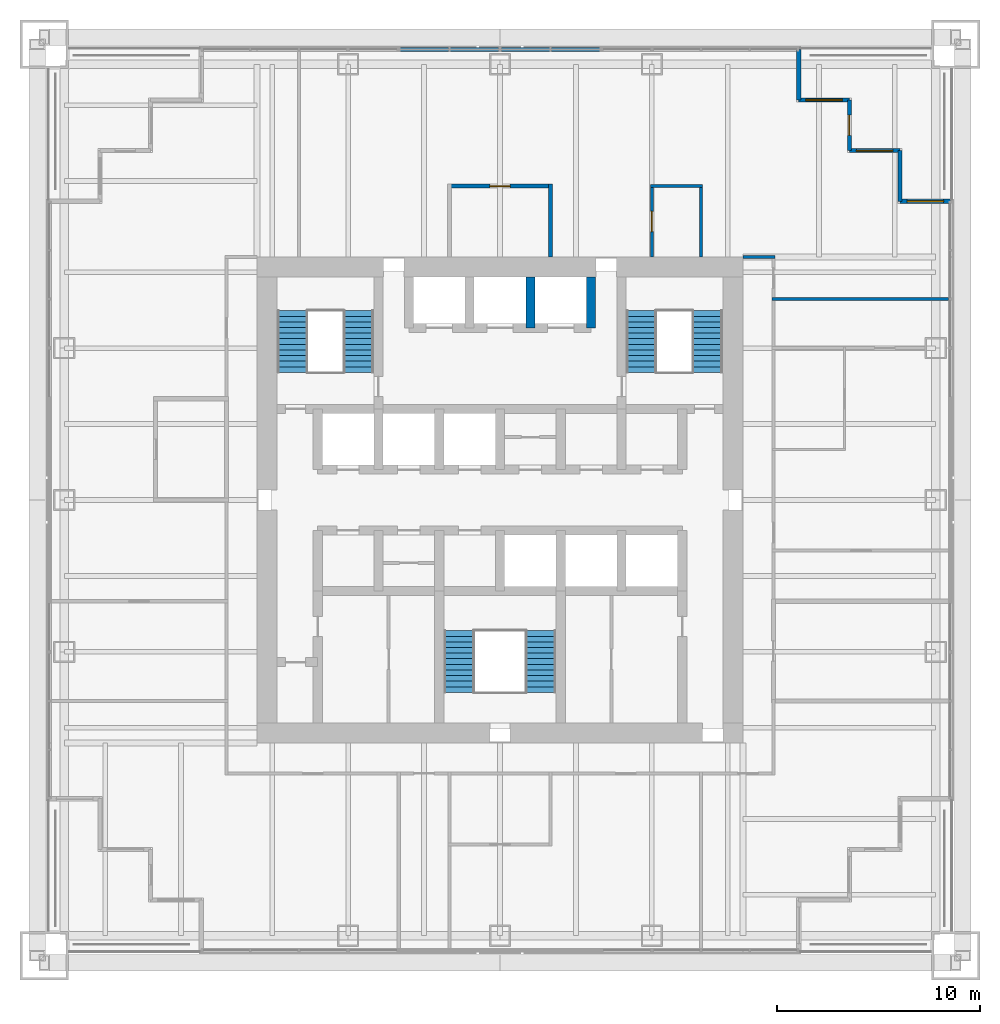
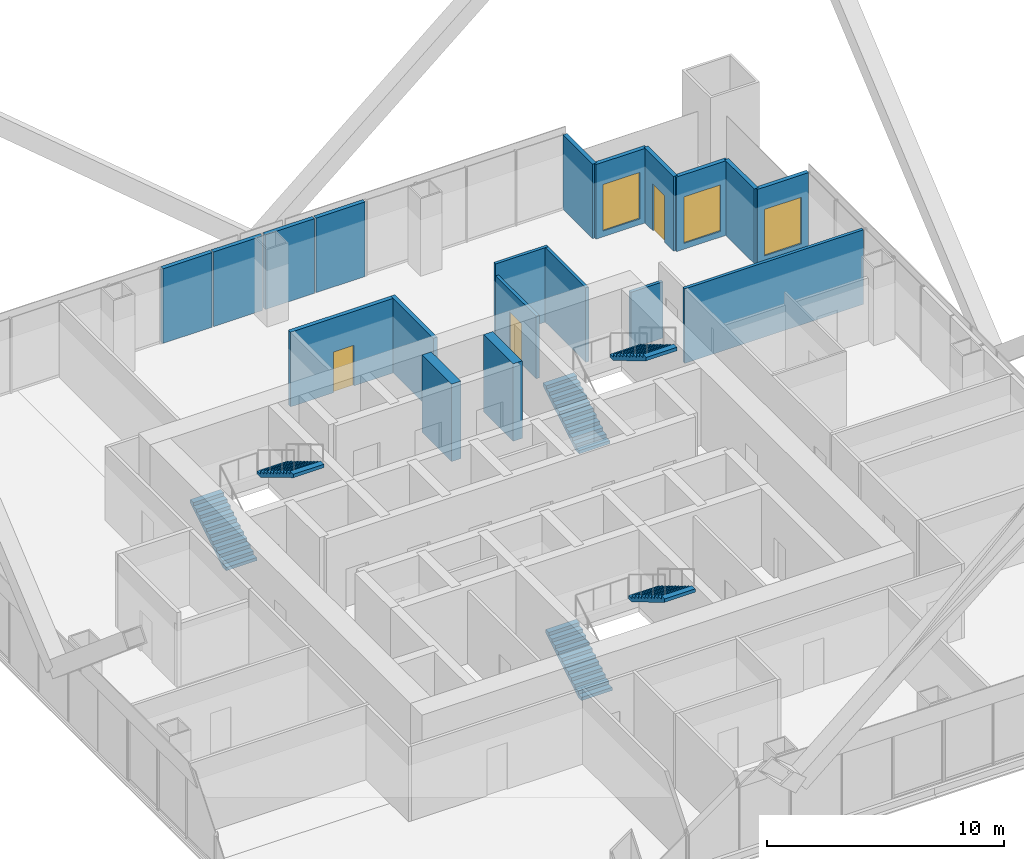
# One storey, part 17 of 19: 19 walls, 6 stair flights, 3 doors, 3 windows, 6 openings, 3 elements without a shape of their own.
"""IFC4 building model written with IfcOpenShell, lengths in metres."""

from ifc_helpers import new_model, si_unit, direction, frame, frame_2d, origin, place, context, subcontext, project, spatial, polyline, rectangle, outline, extrude, material, layer, layer_set, type_object, element, fill, aggregate, save


model = new_model("IFC4")

# Units and contexts
model_context = context("Model", 3, precision=1e-05, world=origin(), true_north=direction((0.0, 1.0)))
body_context = subcontext(model_context, "Body", "Model", "MODEL_VIEW")
ifc_project = project(units=[si_unit("LENGTHUNIT", "METRE"), si_unit("AREAUNIT", "SQUARE_METRE"), si_unit("VOLUMEUNIT", "CUBIC_METRE"), si_unit("PLANEANGLEUNIT", "RADIAN"), si_unit("MASSUNIT", "GRAM", prefix="KILO")], contexts=[model_context])

# Site, building, storey
site_placement = place(None, origin())
site = spatial("IfcSite", under=ifc_project, at=site_placement, CompositionType="ELEMENT")
building_placement = place(site_placement, origin())
building = spatial("IfcBuilding", under=site, at=building_placement, Name="Tarangal Relay Tower", CompositionType="ELEMENT")
storey_placement = place(building_placement, frame((0.0, 0.0, 193.89990234375)))
storey = spatial("IfcBuildingStorey", under=building, at=storey_placement, Name="L40", CompositionType="ELEMENT", Elevation=193.89990234375)

# Wall, opening, door
ifc_material_1 = material(Name="Two layers gypsum board each side on twin steel studs, mineral wool", Category="steel")
ifc_layer_1 = layer(ifc_material_1, 0.199951171875)
ifc_layer_set_1 = layer_set([ifc_layer_1], Name="Acoustic partition 200")
wall_type_1 = type_object("IfcWallType", Name="Acoustic partition 200", PredefinedType="PARTITIONING", material=ifc_layer_set_1)
wall_1_placement = place(storey_placement, frame((-2.60009765625, 15.5, 0.0), z_axis=(0.0, 0.0, 1.0), x_axis=(1.0, 0.0, 0.0)))
wall_1 = element("IfcWall", 1, at=wall_1_placement, inside=storey, type_object=wall_type_1, Name="Partition PT2 L40", PredefinedType="PARTITIONING", context=body_context, shape_type="SweptSolid", body=[
    extrude(rectangle(XDim=5.2001953125, YDim=0.199951171875, at=frame_2d((2.60009765625, 0.0))), origin(), (0.0, 0.0, 1.0), 3.85009765625),
])
opening_1_placement = place(wall_1_placement, frame((2.10009765625, 0.0, 0.0)))
opening_1 = element("IfcOpeningElement", 2, at=opening_1_placement, cuts=wall_1, Name="Opening D2", PredefinedType="OPENING", context=body_context, shape_type="SweptSolid", body=[
    extrude(rectangle(XDim=1.0, YDim=2.10009765625, at=frame_2d((0.5, 1.050048828125))), frame((0.0, 0.10986328125, 0.0), z_axis=(0.0, -1.0, 0.0), x_axis=(1.0, 0.0, 0.0)), (0.0, 0.0, 1.0), 0.219970703125),
])
ifc_material_2 = material(Name="Hardwood door", Category="wood")
door_type_1 = type_object("IfcDoorType", Name="Door 1000 x 2100", OperationType="SINGLE_SWING_LEFT", PredefinedType="DOOR", material=ifc_material_2)
door_1_placement = place(opening_1_placement, origin())
door_1 = element("IfcDoor", 3, at=door_1_placement, inside=storey, type_object=door_type_1, Name="Door D2 to meeting room L40-02", OperationType="SINGLE_SWING_LEFT", OverallHeight=2.10009765625, OverallWidth=1.0, PredefinedType="DOOR", context=body_context, shape_type="SweptSolid", body=[
    extrude(rectangle(XDim=1.0, YDim=2.10009765625, at=frame_2d((0.5, 1.050048828125))), frame((0.0, 0.02490234375, 0.0), z_axis=(0.0, -1.0, 0.0), x_axis=(1.0, 0.0, 0.0)), (0.0, 0.0, 1.0), 0.050048828125),
])
fill(opening_1, door_1)

# Walls
wall_2_placement = place(storey_placement, frame((2.5, 12.0, 0.0), z_axis=(0.0, 0.0, 1.0), x_axis=(0.0, 1.0, 0.0)))
element("IfcWall", 4, at=wall_2_placement, inside=storey, type_object=wall_type_1, Name="Partition PT2 L40", PredefinedType="PARTITIONING", context=body_context, shape_type="SweptSolid", body=[
    extrude(rectangle(XDim=3.60009765625, YDim=0.199951171875, at=frame_2d((1.800048828125, 0.0))), origin(), (0.0, 0.0, 1.0), 3.85009765625),
])
ifc_material_3 = material(Name="Concrete fc' 60 MPa", Category="concrete")
ifc_layer_2 = layer(ifc_material_3, 0.449951171875)
ifc_layer_set_2 = layer_set([ifc_layer_2], Name="Core inner wall 450")
wall_type_2 = type_object("IfcWallType", Name="Core inner wall 450", PredefinedType="SHEAR", material=ifc_layer_set_2)
for number, where, z_axis, x_axis, name in (
    (5, (4.5, 8.5, 0.0), (0.0, 0.0, 1.0), (0.0, 1.0, 0.0), "Core wall X45 L40"),
    (6, (1.5, 8.5, 0.0), (0.0, 0.0, 1.0), (0.0, 1.0, 0.0), "Core wall X15 L40"),
):
    element("IfcWall", number, at=place(storey_placement, frame(where, z_axis=z_axis, x_axis=x_axis)), inside=storey, type_object=wall_type_2, Name=name, PredefinedType="SHEAR", context=body_context, shape_type="SweptSolid", body=[
        extrude(rectangle(XDim=2.5, YDim=0.449951171875, at=frame_2d((1.25, 0.0))), origin(), (0.0, 0.0, 1.0), 4.0),
    ])
ifc_material_4 = material(Name="Black metal clad insulated wall", Category="steel")
ifc_layer_3 = layer(ifc_material_4, 0.199951171875)
ifc_layer_set_3 = layer_set([ifc_layer_3], Name="Corner wall metal clad 200")
wall_type_3 = type_object("IfcWallType", Name="Corner wall metal clad 200", PredefinedType="SOLIDWALL", material=ifc_layer_set_3)
wall_3_placement = place(storey_placement, frame((14.75, 22.25, 0.0), z_axis=(0.0, 0.0, 1.0), x_axis=(0.0, -1.0, 0.0)))
element("IfcWall", 7, at=wall_3_placement, inside=storey, type_object=wall_type_3, Name="Facade wall N facade L40", PredefinedType="SOLIDWALL", context=body_context, shape_type="SweptSolid", body=[
    extrude(rectangle(XDim=2.5, YDim=0.199951171875, at=frame_2d((1.25, 0.0))), origin(), (0.0, 0.0, 1.0), 3.85009765625),
])

# Wall, opening, window
wall_4_placement = place(storey_placement, frame((14.75, 19.75, 0.0), z_axis=(0.0, 0.0, 1.0), x_axis=(1.0, 0.0, 0.0)))
wall_4 = element("IfcWall", 8, at=wall_4_placement, inside=storey, type_object=wall_type_3, Name="Facade wall N facade L40", PredefinedType="SOLIDWALL", context=body_context, shape_type="SweptSolid", body=[
    extrude(rectangle(XDim=2.5, YDim=0.199951171875, at=frame_2d((1.25, 0.0))), origin(), (0.0, 0.0, 1.0), 3.85009765625),
])
opening_2_placement = place(wall_4_placement, frame((0.35009765625, 0.0, 0.300048828125)))
opening_2 = element("IfcOpeningElement", 9, at=opening_2_placement, cuts=wall_4, Name="Opening WN2", PredefinedType="OPENING", context=body_context, shape_type="SweptSolid", body=[
    extrude(rectangle(XDim=1.800048828125, YDim=2.39990234375, at=frame_2d((0.89990234375, 1.199951171875))), frame((0.0, 0.10986328125, 0.0), z_axis=(0.0, -1.0, 0.0), x_axis=(1.0, 0.0, 0.0)), (0.0, 0.0, 1.0), 0.219970703125),
])
ifc_material_5 = material(Name="Dark tinted double glazing in black aluminium frame", Category="aluminium")
window_type = type_object("IfcWindowType", Name="Corner window 1800 x 2400", PartitioningType="SINGLE_PANEL", PredefinedType="WINDOW", material=ifc_material_5)
window_1_placement = place(opening_2_placement, origin())
window_1 = element("IfcWindow", 10, at=window_1_placement, inside=storey, type_object=window_type, Name="Corner window WN2 N facade L40", OverallHeight=2.39990234375, OverallWidth=1.800048828125, PartitioningType="SINGLE_PANEL", PredefinedType="WINDOW", context=body_context, shape_type="SweptSolid", body=[
    extrude(rectangle(XDim=1.800048828125, YDim=2.39990234375, at=frame_2d((0.89990234375, 1.199951171875))), frame((0.0, 0.030029296875, 0.0), z_axis=(0.0, -1.0, 0.0), x_axis=(1.0, 0.0, 0.0)), (0.0, 0.0, 1.0), 0.06005859375),
])
fill(opening_2, window_1)

# Wall, opening, door
wall_5_placement = place(storey_placement, frame((17.25, 19.75, 0.0), z_axis=(0.0, 0.0, 1.0), x_axis=(0.0, -1.0, 0.0)))
wall_5 = element("IfcWall", 11, at=wall_5_placement, inside=storey, type_object=wall_type_3, Name="Facade wall N facade L40", PredefinedType="SOLIDWALL", context=body_context, shape_type="SweptSolid", body=[
    extrude(rectangle(XDim=2.5, YDim=0.199951171875, at=frame_2d((1.25, 0.0))), origin(), (0.0, 0.0, 1.0), 3.85009765625),
])
opening_3_placement = place(wall_5_placement, frame((0.75, 0.0, 0.0)))
opening_3 = element("IfcOpeningElement", 12, at=opening_3_placement, cuts=wall_5, Name="Opening TD1", PredefinedType="OPENING", context=body_context, shape_type="SweptSolid", body=[
    extrude(rectangle(XDim=1.0, YDim=2.39990234375, at=frame_2d((0.5, 1.199951171875))), frame((0.0, 0.10986328125, 0.0), z_axis=(0.0, -1.0, 0.0), x_axis=(1.0, 0.0, 0.0)), (0.0, 0.0, 1.0), 0.219970703125),
])
ifc_material_6 = material(Name="Aluminium glazed door", Category="aluminium")
door_type_2 = type_object("IfcDoorType", Name="Terrace door 1000 x 2400", OperationType="SINGLE_SWING_RIGHT", PredefinedType="DOOR", material=ifc_material_6)
door_2_placement = place(opening_3_placement, origin())
door_2 = element("IfcDoor", 13, at=door_2_placement, inside=storey, type_object=door_type_2, Name="Terrace door TD1 NE L40", OperationType="SINGLE_SWING_RIGHT", OverallHeight=2.39990234375, OverallWidth=1.0, PredefinedType="DOOR", context=body_context, shape_type="SweptSolid", body=[
    extrude(rectangle(XDim=1.0, YDim=2.39990234375, at=frame_2d((0.5, 1.199951171875))), frame((0.0, 0.02490234375, 0.0), z_axis=(0.0, -1.0, 0.0), x_axis=(1.0, 0.0, 0.0)), (0.0, 0.0, 1.0), 0.050048828125),
])
fill(opening_3, door_2)

# Wall, opening, window
wall_6_placement = place(storey_placement, frame((17.25, 17.25, 0.0), z_axis=(0.0, 0.0, 1.0), x_axis=(1.0, 0.0, 0.0)))
wall_6 = element("IfcWall", 14, at=wall_6_placement, inside=storey, type_object=wall_type_3, Name="Facade wall N facade L40", PredefinedType="SOLIDWALL", context=body_context, shape_type="SweptSolid", body=[
    extrude(rectangle(XDim=2.5, YDim=0.199951171875, at=frame_2d((1.25, 0.0))), origin(), (0.0, 0.0, 1.0), 3.85009765625),
])
opening_4_placement = place(wall_6_placement, frame((0.35009765625, 0.0, 0.300048828125)))
opening_4 = element("IfcOpeningElement", 15, at=opening_4_placement, cuts=wall_6, Name="Opening WN2", PredefinedType="OPENING", context=body_context, shape_type="SweptSolid", body=[
    extrude(rectangle(XDim=1.800048828125, YDim=2.39990234375, at=frame_2d((0.89990234375, 1.199951171875))), frame((0.0, 0.10986328125, 0.0), z_axis=(0.0, -1.0, 0.0), x_axis=(1.0, 0.0, 0.0)), (0.0, 0.0, 1.0), 0.219970703125),
])
window_2_placement = place(opening_4_placement, origin())
window_2 = element("IfcWindow", 16, at=window_2_placement, inside=storey, type_object=window_type, Name="Corner window WN2 N facade L40", OverallHeight=2.39990234375, OverallWidth=1.800048828125, PartitioningType="SINGLE_PANEL", PredefinedType="WINDOW", context=body_context, shape_type="SweptSolid", body=[
    extrude(rectangle(XDim=1.800048828125, YDim=2.39990234375, at=frame_2d((0.89990234375, 1.199951171875))), frame((0.0, 0.030029296875, 0.0), z_axis=(0.0, -1.0, 0.0), x_axis=(1.0, 0.0, 0.0)), (0.0, 0.0, 1.0), 0.06005859375),
])
fill(opening_4, window_2)

# Wall
wall_7_placement = place(storey_placement, frame((19.75, 17.25, 0.0), z_axis=(0.0, 0.0, 1.0), x_axis=(0.0, -1.0, 0.0)))
element("IfcWall", 17, at=wall_7_placement, inside=storey, type_object=wall_type_3, Name="Facade wall N facade L40", PredefinedType="SOLIDWALL", context=body_context, shape_type="SweptSolid", body=[
    extrude(rectangle(XDim=2.5, YDim=0.199951171875, at=frame_2d((1.25, 0.0))), origin(), (0.0, 0.0, 1.0), 3.85009765625),
])

# Wall, opening, window
wall_8_placement = place(storey_placement, frame((19.75, 14.75, 0.0), z_axis=(0.0, 0.0, 1.0), x_axis=(1.0, 0.0, 0.0)))
wall_8 = element("IfcWall", 18, at=wall_8_placement, inside=storey, type_object=wall_type_3, Name="Facade wall N facade L40", PredefinedType="SOLIDWALL", context=body_context, shape_type="SweptSolid", body=[
    extrude(rectangle(XDim=2.5, YDim=0.199951171875, at=frame_2d((1.25, 0.0))), origin(), (0.0, 0.0, 1.0), 3.85009765625),
])
opening_5_placement = place(wall_8_placement, frame((0.35009765625, 0.0, 0.300048828125)))
opening_5 = element("IfcOpeningElement", 19, at=opening_5_placement, cuts=wall_8, Name="Opening WN2", PredefinedType="OPENING", context=body_context, shape_type="SweptSolid", body=[
    extrude(rectangle(XDim=1.800048828125, YDim=2.39990234375, at=frame_2d((0.89990234375, 1.199951171875))), frame((0.0, 0.10986328125, 0.0), z_axis=(0.0, -1.0, 0.0), x_axis=(1.0, 0.0, 0.0)), (0.0, 0.0, 1.0), 0.219970703125),
])
window_3_placement = place(opening_5_placement, origin())
window_3 = element("IfcWindow", 20, at=window_3_placement, inside=storey, type_object=window_type, Name="Corner window WN2 N facade L40", OverallHeight=2.39990234375, OverallWidth=1.800048828125, PartitioningType="SINGLE_PANEL", PredefinedType="WINDOW", context=body_context, shape_type="SweptSolid", body=[
    extrude(rectangle(XDim=1.800048828125, YDim=2.39990234375, at=frame_2d((0.89990234375, 1.199951171875))), frame((0.0, 0.030029296875, 0.0), z_axis=(0.0, -1.0, 0.0), x_axis=(1.0, 0.0, 0.0)), (0.0, 0.0, 1.0), 0.06005859375),
])
fill(opening_5, window_3)

# Walls
ifc_layer_4 = layer(ifc_material_4, 0.199951171875)
ifc_layer_set_4 = layer_set([ifc_layer_4], Name="Facade infill wall metal clad 200")
wall_type_4 = type_object("IfcWallType", Name="Facade infill wall metal clad 200", PredefinedType="SOLIDWALL", material=ifc_layer_set_4)
for number, where, z_axis, x_axis, name in (
    (21, (-4.93505859375, 22.25, 0.0), (0.0, 0.0, 1.0), (1.0, 0.0, 0.0), "Facade infill wall N facade L40 1.1"),
    (22, (-2.467529296875, 22.25, 0.0), (0.0, 0.0, 1.0), (1.0, 0.0, 0.0), "Facade infill wall N facade L40 2.1"),
    (23, (0.06494140625, 22.25, 0.0), (0.0, 0.0, 1.0), (1.0, 0.0, 0.0), "Facade infill wall N facade L40 1.1"),
    (24, (2.532470703125, 22.25, 0.0), (0.0, 0.0, 1.0), (1.0, 0.0, 0.0), "Facade infill wall N facade L40 2.1"),
):
    element("IfcWall", number, at=place(storey_placement, frame(where, z_axis=z_axis, x_axis=x_axis)), inside=storey, type_object=wall_type_4, Name=name, PredefinedType="SOLIDWALL", context=body_context, shape_type="SweptSolid", body=[
        extrude(rectangle(XDim=2.402587890625, YDim=0.199951171875, at=frame_2d((1.201171875, 0.0))), origin(), (0.0, 0.0, 1.0), 3.85009765625),
    ])
ifc_material_7 = material(Name="Gypsum board on steel studs", Category="steel")
ifc_layer_5 = layer(ifc_material_7, 0.14990234375)
ifc_layer_set_5 = layer_set([ifc_layer_5], Name="Partition 150")
wall_type_5 = type_object("IfcWallType", Name="Partition 150", PredefinedType="PARTITIONING", material=ifc_layer_set_5)
wall_9_placement = place(storey_placement, frame((13.425048828125, 9.9169921875, 0.0), z_axis=(0.0, 0.0, 1.0), x_axis=(1.0, 0.0, 0.0)))
element("IfcWall", 25, at=wall_9_placement, inside=storey, type_object=wall_type_5, Name="Partition PT1 L40", PredefinedType="PARTITIONING", context=body_context, shape_type="SweptSolid", body=[
    extrude(rectangle(XDim=8.724853515625, YDim=0.14990234375, at=frame_2d((4.3623046875, 0.0))), origin(), (0.0, 0.0, 1.0), 3.85009765625),
])
wall_10_placement = place(storey_placement, frame((12.0, 12.0, 0.0), z_axis=(0.0, 0.0, 1.0), x_axis=(1.0, 0.0, 0.0)))
element("IfcWall", 26, at=wall_10_placement, inside=storey, type_object=wall_type_5, Name="Partition PT1 L40", PredefinedType="PARTITIONING", context=body_context, shape_type="SweptSolid", body=[
    extrude(rectangle(XDim=1.574951171875, YDim=0.14990234375, at=frame_2d((0.78759765625, 0.0))), origin(), (0.0, 0.0, 1.0), 2.907958984375),
])
wall_11_placement = place(storey_placement, frame((7.425048828125, 15.5, 0.0), z_axis=(0.0, 0.0, 1.0), x_axis=(1.0, 0.0, 0.0)))
element("IfcWall", 27, at=wall_11_placement, inside=storey, type_object=wall_type_5, Name="Partition PT1 L40", PredefinedType="PARTITIONING", context=body_context, shape_type="SweptSolid", body=[
    extrude(rectangle(XDim=2.56689453125, YDim=0.14990234375, at=frame_2d((1.283447265625, 0.0))), origin(), (0.0, 0.0, 1.0), 3.85009765625),
])

# Wall, opening, door
wall_12_placement = place(storey_placement, frame((7.5, 12.0, 0.0), z_axis=(0.0, 0.0, 1.0), x_axis=(0.0, 1.0, 0.0)))
wall_12 = element("IfcWall", 28, at=wall_12_placement, inside=storey, type_object=wall_type_5, Name="Partition PT1 L40", PredefinedType="PARTITIONING", context=body_context, shape_type="SweptSolid", body=[
    extrude(rectangle(XDim=3.574951171875, YDim=0.14990234375, at=frame_2d((1.78759765625, 0.0))), origin(), (0.0, 0.0, 1.0), 3.238037109375),
])
opening_6_placement = place(wall_12_placement, frame((1.25, 0.0, 0.0)))
opening_6 = element("IfcOpeningElement", 29, at=opening_6_placement, cuts=wall_12, Name="Opening D2", PredefinedType="OPENING", context=body_context, shape_type="SweptSolid", body=[
    extrude(rectangle(XDim=1.0, YDim=2.10009765625, at=frame_2d((0.5, 1.050048828125))), frame((0.0, 0.0849609375, 0.0), z_axis=(0.0, -1.0, 0.0), x_axis=(1.0, 0.0, 0.0)), (0.0, 0.0, 1.0), 0.169921875),
])
door_3_placement = place(opening_6_placement, origin())
door_3 = element("IfcDoor", 30, at=door_3_placement, inside=storey, type_object=door_type_1, Name="Door D2 to tea pantry L40-03", OperationType="SINGLE_SWING_LEFT", OverallHeight=2.10009765625, OverallWidth=1.0, PredefinedType="DOOR", context=body_context, shape_type="SweptSolid", body=[
    extrude(rectangle(XDim=1.0, YDim=2.10009765625, at=frame_2d((0.5, 1.050048828125))), frame((0.0, 0.02490234375, 0.0), z_axis=(0.0, -1.0, 0.0), x_axis=(1.0, 0.0, 0.0)), (0.0, 0.0, 1.0), 0.050048828125),
])
fill(opening_6, door_3)

# Wall
wall_13_placement = place(storey_placement, frame((9.9169921875, 12.0, 0.0), z_axis=(0.0, 0.0, 1.0), x_axis=(0.0, 1.0, 0.0)))
element("IfcWall", 31, at=wall_13_placement, inside=storey, type_object=wall_type_5, Name="Partition PT1 L40", PredefinedType="PARTITIONING", context=body_context, shape_type="SweptSolid", body=[
    extrude(rectangle(XDim=3.574951171875, YDim=0.14990234375, at=frame_2d((1.78759765625, 0.0))), origin(), (0.0, 0.0, 1.0), 3.85009765625),
])

# Stair, stair flights
ifc_material_8 = material(Name="Steel ASTM A992 stair flight", Category="steel")
stair_type = type_object("IfcStairType", Name="Core stair 1500", PredefinedType="HALF_TURN_STAIR", material=ifc_material_8)
stair_1_placement = place(storey_placement, origin())
stair_1 = element("IfcStair", 32, at=stair_1_placement, inside=storey, type_object=stair_type, Name="Stair ST-A L40", PredefinedType="HALF_TURN_STAIR")
stair_flight_type = type_object("IfcStairFlightType", Name="Steel stair flight 1500, 12 risers 167 x 277", PredefinedType="STRAIGHT", material=ifc_material_8)
stair_flight_1_placement = place(storey_placement, frame((-10.25, 6.300048828125, 0.0), z_axis=(0.0, 0.0, 1.0), x_axis=(0.0, 1.0, 0.0)))
stair_flight_1 = element("IfcStairFlight", 33, at=stair_flight_1_placement, type_object=stair_flight_type, Name="ST-A flight 1", NumberOfRisers=12, NumberOfTreads=11, PredefinedType="STRAIGHT", RiserHeight=0.166666667, TreadLength=0.277, context=body_context, shape_type="SweptSolid", body=[
    extrude(outline(polyline([(0.0, 0.0), (0.0, 0.166748046875), (0.277099609375, 0.166748046875), (0.277099609375, 0.333251953125), (0.553955078125, 0.333251953125), (0.553955078125, 0.5), (0.8310546875, 0.5), (0.8310546875, 0.666748046875), (1.10791015625, 0.666748046875), (1.10791015625, 0.833251953125), (1.385009765625, 0.833251953125), (1.385009765625, 1.0), (1.662109375, 1.0), (1.662109375, 1.166748046875), (1.93896484375, 1.166748046875), (1.93896484375, 1.333251953125), (2.216064453125, 1.333251953125), (2.216064453125, 1.5), (2.492919921875, 1.5), (2.492919921875, 1.666748046875), (2.77001953125, 1.666748046875), (2.77001953125, 1.833251953125), (3.047119140625, 1.833251953125), (3.047119140625, 2.0), (3.047119140625, 1.658447265625), (0.290771484375, 0.0), (0.0, 0.0)])), frame((0.0, 0.75, 0.0), z_axis=(0.0, -1.0, 0.0), x_axis=(1.0, 0.0, 0.0)), (0.0, 0.0, 1.0), 1.5),
])
stair_flight_2_placement = place(storey_placement, frame((-6.97509765625, 9.346923828125, 2.0), z_axis=(0.0, 0.0, 1.0), x_axis=(0.0, -1.0, 0.0)))
stair_flight_2 = element("IfcStairFlight", 34, at=stair_flight_2_placement, type_object=stair_flight_type, Name="ST-A flight 2", NumberOfRisers=12, NumberOfTreads=11, PredefinedType="STRAIGHT", RiserHeight=0.166666667, TreadLength=0.277, context=body_context, shape_type="SweptSolid", body=[
    extrude(outline(polyline([(0.0, 0.0), (0.0, 0.166748046875), (0.277099609375, 0.166748046875), (0.277099609375, 0.333251953125), (0.553955078125, 0.333251953125), (0.553955078125, 0.5), (0.8310546875, 0.5), (0.8310546875, 0.666748046875), (1.10791015625, 0.666748046875), (1.10791015625, 0.833251953125), (1.385009765625, 0.833251953125), (1.385009765625, 1.0), (1.662109375, 1.0), (1.662109375, 1.166748046875), (1.93896484375, 1.166748046875), (1.93896484375, 1.333251953125), (2.216064453125, 1.333251953125), (2.216064453125, 1.5), (2.492919921875, 1.5), (2.492919921875, 1.666748046875), (2.77001953125, 1.666748046875), (2.77001953125, 1.833251953125), (3.047119140625, 1.833251953125), (3.047119140625, 2.0), (3.047119140625, 1.658447265625), (0.290771484375, 0.0), (0.0, 0.0)])), frame((0.0, 0.75, 0.0), z_axis=(0.0, -1.0, 0.0), x_axis=(1.0, 0.0, 0.0)), (0.0, 0.0, 1.0), 1.5),
])
aggregate(stair_1, [stair_flight_1, stair_flight_2])

stair_2_placement = place(storey_placement, origin())
stair_2 = element("IfcStair", 35, at=stair_2_placement, inside=storey, type_object=stair_type, Name="Stair ST-B L40", PredefinedType="HALF_TURN_STAIR")
stair_flight_3_placement = place(storey_placement, frame((6.97509765625, 6.300048828125, 0.0), z_axis=(0.0, 0.0, 1.0), x_axis=(0.0, 1.0, 0.0)))
stair_flight_3 = element("IfcStairFlight", 36, at=stair_flight_3_placement, type_object=stair_flight_type, Name="ST-B flight 1", NumberOfRisers=12, NumberOfTreads=11, PredefinedType="STRAIGHT", RiserHeight=0.166666667, TreadLength=0.277, context=body_context, shape_type="SweptSolid", body=[
    extrude(outline(polyline([(0.0, 0.0), (0.0, 0.166748046875), (0.277099609375, 0.166748046875), (0.277099609375, 0.333251953125), (0.553955078125, 0.333251953125), (0.553955078125, 0.5), (0.8310546875, 0.5), (0.8310546875, 0.666748046875), (1.10791015625, 0.666748046875), (1.10791015625, 0.833251953125), (1.385009765625, 0.833251953125), (1.385009765625, 1.0), (1.662109375, 1.0), (1.662109375, 1.166748046875), (1.93896484375, 1.166748046875), (1.93896484375, 1.333251953125), (2.216064453125, 1.333251953125), (2.216064453125, 1.5), (2.492919921875, 1.5), (2.492919921875, 1.666748046875), (2.77001953125, 1.666748046875), (2.77001953125, 1.833251953125), (3.047119140625, 1.833251953125), (3.047119140625, 2.0), (3.047119140625, 1.658447265625), (0.290771484375, 0.0), (0.0, 0.0)])), frame((0.0, 0.75, 0.0), z_axis=(0.0, -1.0, 0.0), x_axis=(1.0, 0.0, 0.0)), (0.0, 0.0, 1.0), 1.5),
])
stair_flight_4_placement = place(storey_placement, frame((10.25, 9.346923828125, 2.0), z_axis=(0.0, 0.0, 1.0), x_axis=(0.0, -1.0, 0.0)))
stair_flight_4 = element("IfcStairFlight", 37, at=stair_flight_4_placement, type_object=stair_flight_type, Name="ST-B flight 2", NumberOfRisers=12, NumberOfTreads=11, PredefinedType="STRAIGHT", RiserHeight=0.166666667, TreadLength=0.277, context=body_context, shape_type="SweptSolid", body=[
    extrude(outline(polyline([(0.0, 0.0), (0.0, 0.166748046875), (0.277099609375, 0.166748046875), (0.277099609375, 0.333251953125), (0.553955078125, 0.333251953125), (0.553955078125, 0.5), (0.8310546875, 0.5), (0.8310546875, 0.666748046875), (1.10791015625, 0.666748046875), (1.10791015625, 0.833251953125), (1.385009765625, 0.833251953125), (1.385009765625, 1.0), (1.662109375, 1.0), (1.662109375, 1.166748046875), (1.93896484375, 1.166748046875), (1.93896484375, 1.333251953125), (2.216064453125, 1.333251953125), (2.216064453125, 1.5), (2.492919921875, 1.5), (2.492919921875, 1.666748046875), (2.77001953125, 1.666748046875), (2.77001953125, 1.833251953125), (3.047119140625, 1.833251953125), (3.047119140625, 2.0), (3.047119140625, 1.658447265625), (0.290771484375, 0.0), (0.0, 0.0)])), frame((0.0, 0.75, 0.0), z_axis=(0.0, -1.0, 0.0), x_axis=(1.0, 0.0, 0.0)), (0.0, 0.0, 1.0), 1.5),
])
aggregate(stair_2, [stair_flight_3, stair_flight_4])

stair_3_placement = place(storey_placement, origin())
stair_3 = element("IfcStair", 38, at=stair_3_placement, inside=storey, type_object=stair_type, Name="Stair ST-C L40", PredefinedType="HALF_TURN_STAIR")
stair_flight_5_placement = place(storey_placement, frame((-2.02490234375, -9.5, 0.0), z_axis=(0.0, 0.0, 1.0), x_axis=(0.0, 1.0, 0.0)))
stair_flight_5 = element("IfcStairFlight", 39, at=stair_flight_5_placement, type_object=stair_flight_type, Name="ST-C flight 1", NumberOfRisers=12, NumberOfTreads=11, PredefinedType="STRAIGHT", RiserHeight=0.166666667, TreadLength=0.277, context=body_context, shape_type="SweptSolid", body=[
    extrude(outline(polyline([(0.0, 0.0), (0.0, 0.166748046875), (0.277099609375, 0.166748046875), (0.277099609375, 0.333251953125), (0.553955078125, 0.333251953125), (0.553955078125, 0.5), (0.8310546875, 0.5), (0.8310546875, 0.666748046875), (1.10791015625, 0.666748046875), (1.10791015625, 0.833251953125), (1.385009765625, 0.833251953125), (1.385009765625, 1.0), (1.662109375, 1.0), (1.662109375, 1.166748046875), (1.93896484375, 1.166748046875), (1.93896484375, 1.333251953125), (2.216064453125, 1.333251953125), (2.216064453125, 1.5), (2.492919921875, 1.5), (2.492919921875, 1.666748046875), (2.77001953125, 1.666748046875), (2.77001953125, 1.833251953125), (3.047119140625, 1.833251953125), (3.047119140625, 2.0), (3.047119140625, 1.658447265625), (0.290771484375, 0.0), (0.0, 0.0)])), frame((0.0, 0.75, 0.0), z_axis=(0.0, -1.0, 0.0), x_axis=(1.0, 0.0, 0.0)), (0.0, 0.0, 1.0), 1.5),
])
stair_flight_6_placement = place(storey_placement, frame((2.02490234375, -6.452880859375, 2.0), z_axis=(0.0, 0.0, 1.0), x_axis=(0.0, -1.0, 0.0)))
stair_flight_6 = element("IfcStairFlight", 40, at=stair_flight_6_placement, type_object=stair_flight_type, Name="ST-C flight 2", NumberOfRisers=12, NumberOfTreads=11, PredefinedType="STRAIGHT", RiserHeight=0.166666667, TreadLength=0.277, context=body_context, shape_type="SweptSolid", body=[
    extrude(outline(polyline([(0.0, 0.0), (0.0, 0.166748046875), (0.277099609375, 0.166748046875), (0.277099609375, 0.333251953125), (0.553955078125, 0.333251953125), (0.553955078125, 0.5), (0.8310546875, 0.5), (0.8310546875, 0.666748046875), (1.10791015625, 0.666748046875), (1.10791015625, 0.833251953125), (1.385009765625, 0.833251953125), (1.385009765625, 1.0), (1.662109375, 1.0), (1.662109375, 1.166748046875), (1.93896484375, 1.166748046875), (1.93896484375, 1.333251953125), (2.216064453125, 1.333251953125), (2.216064453125, 1.5), (2.492919921875, 1.5), (2.492919921875, 1.666748046875), (2.77001953125, 1.666748046875), (2.77001953125, 1.833251953125), (3.047119140625, 1.833251953125), (3.047119140625, 2.0), (3.047119140625, 1.658447265625), (0.290771484375, 0.0), (0.0, 0.0)])), frame((0.0, 0.75, 0.0), z_axis=(0.0, -1.0, 0.0), x_axis=(1.0, 0.0, 0.0)), (0.0, 0.0, 1.0), 1.5),
])
aggregate(stair_3, [stair_flight_5, stair_flight_6])

save(model, "model.ifc")
